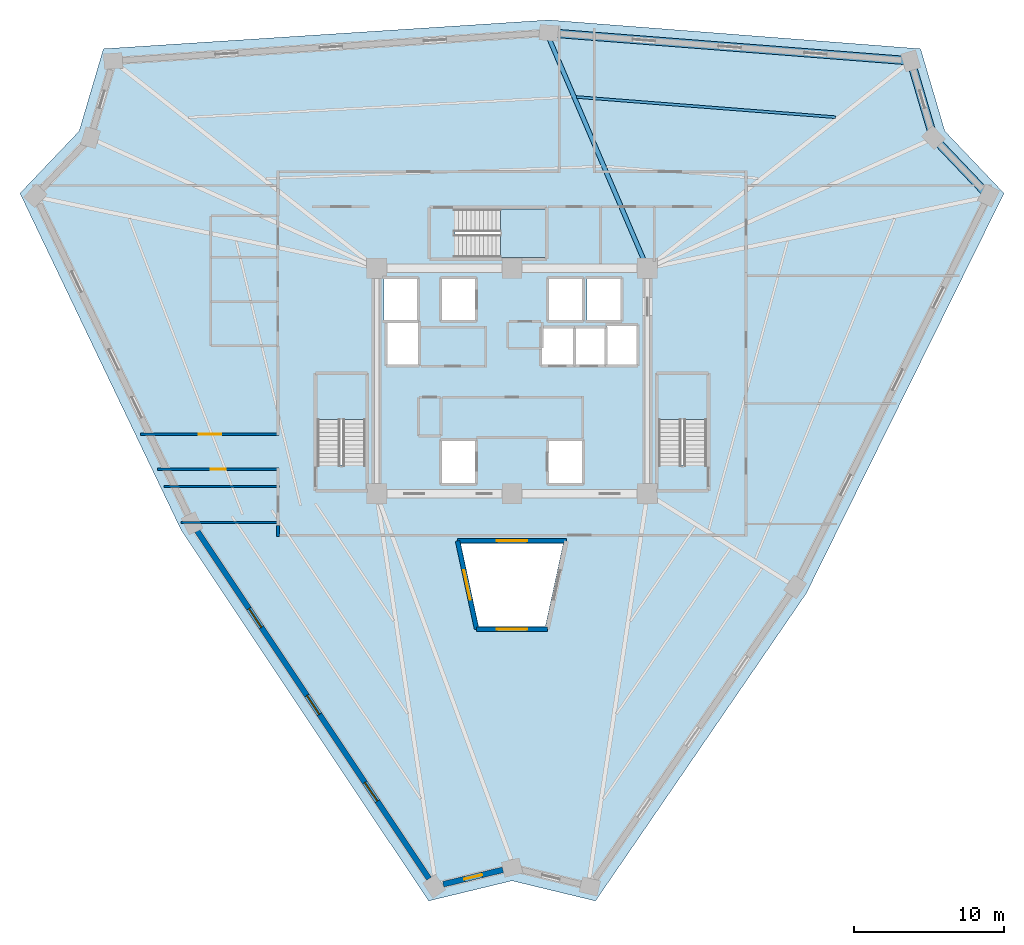
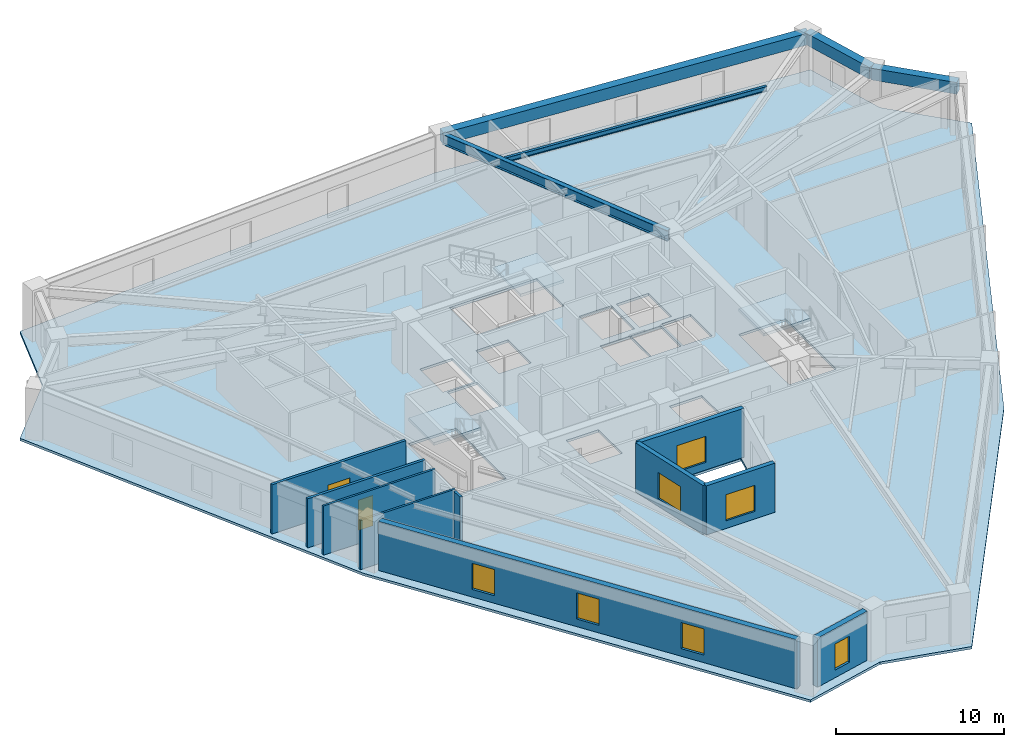
# One storey, part 2 of 8: 10 walls, 7 windows, 5 beams, 4 slabs, 2 doors, 9 openings, 3 elements without a shape of their own.
"""IFC4 building model written with IfcOpenShell, lengths in metres."""

from ifc_helpers import new_model, si_unit, direction, frame, frame_2d, origin, origin_2d, place, context, subcontext, project, spatial, polyline, rectangle, i_section, outline, extrude, source, transform, mapped, material, layer, layer_set, material_profile, profile_set, type_object, element, fill, aggregate, save


model = new_model("IFC4")

# Units and contexts
model_context = context("Model", 3, precision=1e-05, world=origin(), true_north=direction((0.0, 1.0)))
body_context = subcontext(model_context, "Body", "Model", "MODEL_VIEW")
ifc_project = project(units=[si_unit("LENGTHUNIT", "METRE"), si_unit("AREAUNIT", "SQUARE_METRE"), si_unit("VOLUMEUNIT", "CUBIC_METRE"), si_unit("PLANEANGLEUNIT", "RADIAN"), si_unit("MASSUNIT", "GRAM", prefix="KILO")], contexts=[model_context])

# Site, building, storey
site_placement = place(None, origin())
site = spatial("IfcSite", under=ifc_project, at=site_placement, CompositionType="ELEMENT")
building_placement = place(site_placement, origin())
building = spatial("IfcBuilding", under=site, at=building_placement, Name="Liaohun Quay Tower", CompositionType="ELEMENT")
storey_placement = place(building_placement, frame((0.0, 0.0, 266.25)))
storey = spatial("IfcBuildingStorey", under=building, at=storey_placement, Name="L69", CompositionType="ELEMENT", Elevation=266.25)

# Beams
ifc_material_1 = material(Name="Precast concrete C50", Category="concrete")
ifc_material_profile_1 = material_profile(ifc_material_1, rectangle(XDim=0.550048828125, YDim=0.85009765625, at=origin_2d()), Name="RC550x850")
ifc_profile_set_1 = profile_set([ifc_material_profile_1], Name="Precast concrete C50")
beam_type_1 = type_object("IfcBeamType", Name="BM-SPD-Z3", PredefinedType="SPANDREL", material=ifc_profile_set_1)
shared_shape_1 = source(origin(), body_context, "Body", "SweptSolid", [
    extrude(rectangle(XDim=0.550048828125, YDim=0.85009765625, at=origin_2d()), origin(), (0.0, 0.0, 1.0), 24.14404296875),
])
beam_1_placement = place(storey_placement, frame((62.43896484375, 77.14794921875, 3.14501953125), z_axis=(0.997015336738, -0.077203745433, 0.0), x_axis=(0.077203745433, 0.997015336738, 0.0)))
element("IfcBeam", 1, at=beam_1_placement, inside=storey, type_object=beam_type_1, Name="L69 Precast Spandrel Beam PC06-PC07", PredefinedType="SPANDREL", context=body_context, shape_type="MappedRepresentation", body=[
    mapped(shared_shape_1, transform((0.0, 0.0, 0.0), x_axis=(1.0, 0.0, 0.0), y_axis=(0.0, 1.0, 0.0), z_axis=(0.0, 0.0, 1.0), scale=1.0)),
])
shared_shape_2 = source(origin(), body_context, "Body", "SweptSolid", [
    extrude(rectangle(XDim=0.550048828125, YDim=0.85009765625, at=origin_2d()), origin(), (0.0, 0.0, 1.0), 5.325439453125),
])
beam_2_placement = place(storey_placement, frame((86.510986328125, 75.283935546875, 3.14501953125), z_axis=(0.282819041765, -0.959173284456, 0.0), x_axis=(0.959173284456, 0.282819041765, 0.0)))
element("IfcBeam", 2, at=beam_2_placement, inside=storey, type_object=beam_type_1, Name="L69 Precast Spandrel Beam PC07-PC08", PredefinedType="SPANDREL", context=body_context, shape_type="MappedRepresentation", body=[
    mapped(shared_shape_2, transform((0.0, 0.0, 0.0), x_axis=(1.0, 0.0, 0.0), y_axis=(0.0, 1.0, 0.0), z_axis=(0.0, 0.0, 1.0), scale=1.0)),
])
shared_shape_3 = source(origin(), body_context, "Body", "SweptSolid", [
    extrude(rectangle(XDim=0.550048828125, YDim=0.85009765625, at=origin_2d()), origin(), (0.0, 0.0, 1.0), 5.318359375),
])
beam_3_placement = place(storey_placement, frame((88.01708984375, 70.176025390625, 3.14501953125), z_axis=(0.689306630842, -0.7244697155, 0.0), x_axis=(0.7244697155, 0.689306630842, 0.0)))
element("IfcBeam", 3, at=beam_3_placement, inside=storey, type_object=beam_type_1, Name="L69 Precast Spandrel Beam PC08-PC09", PredefinedType="SPANDREL", context=body_context, shape_type="MappedRepresentation", body=[
    mapped(shared_shape_3, transform((0.0, 0.0, 0.0), x_axis=(1.0, 0.0, 0.0), y_axis=(0.0, 1.0, 0.0), z_axis=(0.0, 0.0, 1.0), scale=1.0)),
])
ifc_material_2 = material(Name="Steel Q355D", Category="steel")
ifc_material_profile_2 = material_profile(ifc_material_2, i_section(OverallWidth=0.300048828125, OverallDepth=0.75, WebThickness=0.013916015625, FlangeThickness=0.02587890625, at=origin_2d()), Name="HN750x300x14x26")
ifc_profile_set_2 = profile_set([ifc_material_profile_2], Name="Steel Q355D")
beam_type_2 = type_object("IfcBeamType", Name="BM-RAD-M2", PredefinedType="BEAM", material=ifc_profile_set_2)
shared_shape_4 = source(origin(), body_context, "Body", "SweptSolid", [
    extrude(i_section(OverallWidth=0.300048828125, OverallDepth=0.75, WebThickness=0.013916015625, FlangeThickness=0.02587890625, at=origin_2d()), origin(), (0.0, 0.0, 1.0), 16.7490234375),
])
beam_4_placement = place(storey_placement, frame((69.0, 61.5, 3.195068359375), z_axis=(-0.393331635304, 0.919396663399, 0.0), x_axis=(-0.919396663399, -0.393331635304, 0.0)))
element("IfcBeam", 4, at=beam_4_placement, inside=storey, type_object=beam_type_2, Name="L69 Radial Primary Girder CC4-PC06", PredefinedType="BEAM", context=body_context, shape_type="MappedRepresentation", body=[
    mapped(shared_shape_4, transform((0.0, 0.0, 0.0), x_axis=(1.0, 0.0, 0.0), y_axis=(0.0, 1.0, 0.0), z_axis=(0.0, 0.0, 1.0), scale=1.0)),
])
ifc_material_profile_3 = material_profile(ifc_material_2, i_section(OverallWidth=0.175048828125, OverallDepth=0.35009765625, WebThickness=0.007080078125, FlangeThickness=0.010986328125, at=origin_2d()), Name="HN350x175x7x11")
ifc_profile_set_3 = profile_set([ifc_material_profile_3], Name="Steel Q355D")
beam_type_3 = type_object("IfcBeamType", Name="BM-SEC-J3", PredefinedType="JOIST", material=ifc_profile_set_3)
shared_shape_5 = source(origin(), body_context, "Body", "SweptSolid", [
    extrude(i_section(OverallWidth=0.175048828125, OverallDepth=0.35009765625, WebThickness=0.007080078125, FlangeThickness=0.010986328125, at=origin_2d()), origin(), (0.0, 0.0, 1.0), 17.2734375),
])
beam_5_placement = place(storey_placement, frame((64.2939453125, 72.882080078125, 3.39501953125), z_axis=(0.996964010265, -0.077863741477, 0.0), x_axis=(0.077863741477, 0.996964010265, 0.0)))
element("IfcBeam", 5, at=beam_5_placement, inside=storey, type_object=beam_type_3, Name="L69 Wing Secondary Floor Joist SJ-09", PredefinedType="JOIST", context=body_context, shape_type="MappedRepresentation", body=[
    mapped(shared_shape_5, transform((0.0, 0.0, 0.0), x_axis=(1.0, 0.0, 0.0), y_axis=(0.0, 1.0, 0.0), z_axis=(0.0, 0.0, 1.0), scale=1.0)),
])

# Stair, slab
ifc_material_3 = material(Name="Concrete C45", Category="concrete")
stair_type = type_object("IfcStairType", Name="STR-CORE-OFF", PredefinedType="HALF_TURN_STAIR", material=ifc_material_3)
stair_1_placement = place(storey_placement, origin())
stair_1 = element("IfcStair", 6, at=stair_1_placement, inside=storey, type_object=stair_type, Name="L69 Smokeproof Core Exit Stair ST-1", PredefinedType="HALF_TURN_STAIR")
ifc_layer_1 = layer(ifc_material_3, 0.199951171875, Name="Concrete C45", Category="concrete")
ifc_layer_set_1 = layer_set([ifc_layer_1], Name="Concrete C45")
slab_type_1 = type_object("IfcSlabType", Name="SLB-LND-200", PredefinedType="LANDING", material=ifc_layer_set_1)
slab_1_placement = place(storey_placement, frame((0.0, 0.0, 1.675048828125)))
slab_1 = element("IfcSlab", 7, at=slab_1_placement, type_object=slab_type_1, Name="ST-1 landing 1", PredefinedType="LANDING", context=body_context, shape_type="SweptSolid", body=[
    extrude(outline(polyline([(50.280029296875, 51.429931640625), (50.280029296875, 54.419921875), (47.0400390625, 54.419921875), (47.0400390625, 51.429931640625), (50.280029296875, 51.429931640625)])), origin(), (0.0, 0.0, 1.0), 0.199951171875),
])
aggregate(stair_1, [slab_1])

stair_2_placement = place(storey_placement, origin())
stair_2 = element("IfcStair", 8, at=stair_2_placement, inside=storey, type_object=stair_type, Name="L69 Smokeproof Core Exit Stair ST-2", PredefinedType="HALF_TURN_STAIR")
slab_2_placement = place(storey_placement, frame((0.0, 0.0, 1.675048828125)))
slab_2 = element("IfcSlab", 9, at=slab_2_placement, type_object=slab_type_1, Name="ST-2 landing 1", PredefinedType="LANDING", context=body_context, shape_type="SweptSolid", body=[
    extrude(outline(polyline([(72.9599609375, 51.429931640625), (72.9599609375, 54.419921875), (69.719970703125, 54.419921875), (69.719970703125, 51.429931640625), (72.9599609375, 51.429931640625)])), origin(), (0.0, 0.0, 1.0), 0.199951171875),
])
aggregate(stair_2, [slab_2])

stair_3_placement = place(storey_placement, origin())
stair_3 = element("IfcStair", 10, at=stair_3_placement, inside=storey, type_object=stair_type, Name="L69 Smokeproof Core Exit Stair ST-3", PredefinedType="HALF_TURN_STAIR")
slab_3_placement = place(storey_placement, frame((0.0, 0.0, 1.675048828125)))
slab_3 = element("IfcSlab", 11, at=slab_3_placement, type_object=slab_type_1, Name="ST-3 landing 1", PredefinedType="LANDING", context=body_context, shape_type="SweptSolid", body=[
    extrude(outline(polyline([(59.22998046875, 62.199951171875), (62.219970703125, 62.199951171875), (62.219970703125, 65.43994140625), (59.22998046875, 65.43994140625), (59.22998046875, 62.199951171875)])), origin(), (0.0, 0.0, 1.0), 0.199951171875),
])
aggregate(stair_3, [slab_3])

# Slab
ifc_layer_2 = layer(ifc_material_3, 0.179931640625, Name="Concrete C45", Category="concrete")
ifc_layer_set_2 = layer_set([ifc_layer_2], Name="Concrete C45")
slab_type_2 = type_object("IfcSlabType", Name="SLB-OFF-180", PredefinedType="FLOOR", material=ifc_layer_set_2)
slab_4_placement = place(storey_placement, frame((0.0, 0.0, -0.179931640625)))
element("IfcSlab", 12, at=slab_4_placement, inside=storey, type_object=slab_type_2, Name="L69 Structural Floor Slab", PredefinedType="FLOOR", context=body_context, shape_type="SweptSolid", body=[
    extrude(outline(polyline([(54.452880859375, 19.43505859375), (60.0, 20.77490234375), (65.547119140625, 19.43505859375), (79.56298828125, 39.883056640625), (92.7080078125, 66.47900390625), (88.77392578125, 70.613037109375), (87.160888671875, 76.0859375), (62.444091796875, 78.0), (32.839111328125, 76.0859375), (31.22607421875, 70.613037109375), (27.2919921875, 66.47900390625), (37.992919921875, 44.116943359375), (54.452880859375, 19.43505859375)]), holes=[polyline([(63.409912109375, 43.199951171875), (56.590087890625, 43.199951171875), (57.782958984375, 37.677978515625), (62.217041015625, 37.677978515625), (63.409912109375, 43.199951171875)]), polyline([(57.56005859375, 47.2099609375), (57.56005859375, 50.030029296875), (55.340087890625, 50.030029296875), (55.340087890625, 47.2099609375), (57.56005859375, 47.2099609375)]), polyline([(50.280029296875, 54.419921875), (47.0400390625, 54.419921875), (47.0400390625, 48.409912109375), (50.280029296875, 48.409912109375), (50.280029296875, 54.419921875)]), polyline([(53.760009765625, 55.090087890625), (53.760009765625, 57.909912109375), (51.7099609375, 57.909912109375), (51.7099609375, 55.090087890625), (53.760009765625, 55.090087890625)]), polyline([(53.7099609375, 58.0400390625), (53.7099609375, 60.7900390625), (51.489990234375, 60.7900390625), (51.489990234375, 58.0400390625), (53.7099609375, 58.0400390625)]), polyline([(57.56005859375, 58.0400390625), (57.56005859375, 60.7900390625), (55.340087890625, 60.7900390625), (55.340087890625, 58.0400390625), (57.56005859375, 58.0400390625)]), polyline([(62.219970703125, 62.199951171875), (62.219970703125, 65.43994140625), (56.2099609375, 65.43994140625), (56.2099609375, 62.199951171875), (62.219970703125, 62.199951171875)]), polyline([(64.659912109375, 50.030029296875), (62.43994140625, 50.030029296875), (62.43994140625, 47.2099609375), (64.659912109375, 47.2099609375), (64.659912109375, 50.030029296875)]), polyline([(72.9599609375, 54.419921875), (69.719970703125, 54.419921875), (69.719970703125, 48.409912109375), (72.9599609375, 48.409912109375), (72.9599609375, 54.419921875)]), polyline([(64.06005859375, 55.090087890625), (64.06005859375, 57.510009765625), (61.989990234375, 57.510009765625), (61.989990234375, 55.090087890625), (64.06005859375, 55.090087890625)]), polyline([(66.159912109375, 55.090087890625), (66.159912109375, 57.510009765625), (64.090087890625, 57.510009765625), (64.090087890625, 55.090087890625), (66.159912109375, 55.090087890625)]), polyline([(68.2900390625, 55.090087890625), (68.2900390625, 57.659912109375), (66.2900390625, 57.659912109375), (66.2900390625, 55.090087890625), (68.2900390625, 55.090087890625)]), polyline([(64.659912109375, 58.0400390625), (64.659912109375, 60.7900390625), (62.43994140625, 60.7900390625), (62.43994140625, 58.0400390625), (64.659912109375, 58.0400390625)]), polyline([(67.2099609375, 58.0400390625), (67.2099609375, 60.7900390625), (64.989990234375, 60.7900390625), (64.989990234375, 58.0400390625), (67.2099609375, 58.0400390625)])]), origin(), (0.0, 0.0, 1.0), 0.179931640625),
])

# Wall, opening, window
ifc_material_4 = material(Name="Concrete C50", Category="concrete")
ifc_layer_3 = layer(ifc_material_4, 0.300048828125, Name="Concrete C50", Category="concrete")
ifc_layer_set_3 = layer_set([ifc_layer_3], Name="Concrete C50")
wall_type_1 = type_object("IfcWallType", Name="WAL-ATR-300", PredefinedType="SOLIDWALL", material=ifc_layer_set_3)
wall_1_placement = place(storey_placement, frame((57.64599609375, 37.508056640625, 0.0), z_axis=(0.0, 0.0, 1.0), x_axis=(-0.211271830319, 0.977427344468, 0.0)))
wall_1 = element("IfcWall", 13, at=wall_1_placement, inside=storey, type_object=wall_type_1, Name="L69 Atrium Fire Compartment Wall 1", PredefinedType="SOLIDWALL", context=body_context, shape_type="SweptSolid", body=[
    extrude(rectangle(XDim=5.99755859375, YDim=0.300048828125, at=frame_2d((2.998779296875, 0.0))), origin(), (0.0, 0.0, 1.0), 3.570068359375),
])
shared_shape_6 = source(origin(), body_context, "Body", "SweptSolid", [
    extrude(rectangle(XDim=2.0, YDim=1.89990234375, at=frame_2d((1.0, 0.949951171875))), frame((0.0, 0.159912109375, 0.0), z_axis=(0.0, -1.0, 0.0), x_axis=(1.0, 0.0, 0.0)), (0.0, 0.0, 1.0), 0.320068359375),
])
opening_1_placement = place(wall_1_placement, frame((1.9990234375, 0.0, 0.550048828125)))
opening_1 = element("IfcOpeningElement", 14, at=opening_1_placement, cuts=wall_1, Name="Opening W07", PredefinedType="OPENING", context=body_context, shape_type="MappedRepresentation", body=[
    mapped(shared_shape_6, transform((0.0, 0.0, 0.0), x_axis=(1.0, 0.0, 0.0), y_axis=(0.0, 1.0, 0.0), z_axis=(0.0, 0.0, 1.0), scale=1.0)),
])
ifc_material_5 = material(Name="Class A 180-min fire-resistant insulated glazing", Category="glass")
window_type_1 = type_object("IfcWindowType", Name="WIN-ATR-FIR", PartitioningType="DOUBLE_PANEL_VERTICAL", PredefinedType="WINDOW", material=ifc_material_5)
shared_shape_7 = source(origin(), body_context, "Body", "SweptSolid", [
    extrude(rectangle(XDim=2.0, YDim=1.89990234375, at=frame_2d((1.0, 0.949951171875))), frame((0.0, 0.030029296875, 0.0), z_axis=(0.0, -1.0, 0.0), x_axis=(1.0, 0.0, 0.0)), (0.0, 0.0, 1.0), 0.06005859375),
])
window_1_placement = place(opening_1_placement, origin())
window_1 = element("IfcWindow", 15, at=window_1_placement, inside=storey, type_object=window_type_1, Name="L69 Atrium Fire-Resistant Glazing W07-1", OverallHeight=1.89990234375, OverallWidth=2.0, PartitioningType="DOUBLE_PANEL_VERTICAL", PredefinedType="WINDOW", context=body_context, shape_type="MappedRepresentation", body=[
    mapped(shared_shape_7, transform((0.0, 0.0, 0.0), x_axis=(1.0, 0.0, 0.0), y_axis=(0.0, 1.0, 0.0), z_axis=(0.0, 0.0, 1.0), scale=1.0)),
])
fill(opening_1, window_1)

wall_2_placement = place(storey_placement, frame((56.37890625, 43.3701171875, 0.0), z_axis=(0.0, 0.0, 1.0), x_axis=(1.0, 0.0, 0.0)))
wall_2 = element("IfcWall", 16, at=wall_2_placement, inside=storey, type_object=wall_type_1, Name="L69 Atrium Fire Compartment Wall 2", PredefinedType="SOLIDWALL", context=body_context, shape_type="SweptSolid", body=[
    extrude(rectangle(XDim=7.2421875, YDim=0.300048828125, at=frame_2d((3.62109375, 0.0))), origin(), (0.0, 0.0, 1.0), 3.570068359375),
])
opening_2_placement = place(wall_2_placement, frame((2.62109375, 0.0, 0.550048828125)))
opening_2 = element("IfcOpeningElement", 17, at=opening_2_placement, cuts=wall_2, Name="Opening W07", PredefinedType="OPENING", context=body_context, shape_type="MappedRepresentation", body=[
    mapped(shared_shape_6, transform((0.0, 0.0, 0.0), x_axis=(1.0, 0.0, 0.0), y_axis=(0.0, 1.0, 0.0), z_axis=(0.0, 0.0, 1.0), scale=1.0)),
])
window_2_placement = place(opening_2_placement, origin())
window_2 = element("IfcWindow", 18, at=window_2_placement, inside=storey, type_object=window_type_1, Name="L69 Atrium Fire-Resistant Glazing W07-2", OverallHeight=1.89990234375, OverallWidth=2.0, PartitioningType="DOUBLE_PANEL_VERTICAL", PredefinedType="WINDOW", context=body_context, shape_type="MappedRepresentation", body=[
    mapped(shared_shape_7, transform((0.0, 0.0, 0.0), x_axis=(1.0, 0.0, 0.0), y_axis=(0.0, 1.0, 0.0), z_axis=(0.0, 0.0, 1.0), scale=1.0)),
])
fill(opening_2, window_2)

wall_3_placement = place(storey_placement, frame((62.35400390625, 37.508056640625, 0.0), z_axis=(0.0, 0.0, 1.0), x_axis=(-1.0, 0.0, 0.0)))
wall_3 = element("IfcWall", 19, at=wall_3_placement, inside=storey, type_object=wall_type_1, Name="L69 Atrium Fire Compartment Wall 4", PredefinedType="SOLIDWALL", context=body_context, shape_type="SweptSolid", body=[
    extrude(rectangle(XDim=4.7080078125, YDim=0.300048828125, at=frame_2d((2.35400390625, 0.0))), origin(), (0.0, 0.0, 1.0), 3.570068359375),
])
opening_3_placement = place(wall_3_placement, frame((1.35400390625, 0.0, 0.550048828125)))
opening_3 = element("IfcOpeningElement", 20, at=opening_3_placement, cuts=wall_3, Name="Opening W07", PredefinedType="OPENING", context=body_context, shape_type="MappedRepresentation", body=[
    mapped(shared_shape_6, transform((0.0, 0.0, 0.0), x_axis=(1.0, 0.0, 0.0), y_axis=(0.0, 1.0, 0.0), z_axis=(0.0, 0.0, 1.0), scale=1.0)),
])
window_3_placement = place(opening_3_placement, origin())
window_3 = element("IfcWindow", 21, at=window_3_placement, inside=storey, type_object=window_type_1, Name="L69 Atrium Fire-Resistant Glazing W07-4", OverallHeight=1.89990234375, OverallWidth=2.0, PartitioningType="DOUBLE_PANEL_VERTICAL", PredefinedType="WINDOW", context=body_context, shape_type="MappedRepresentation", body=[
    mapped(shared_shape_7, transform((0.0, 0.0, 0.0), x_axis=(1.0, 0.0, 0.0), y_axis=(0.0, 1.0, 0.0), z_axis=(0.0, 0.0, 1.0), scale=1.0)),
])
fill(opening_3, window_3)

# Wall, openings, windows
ifc_material_6 = material(Name="Precast concrete C50 insulated sandwich", Category="concrete")
ifc_layer_4 = layer(ifc_material_6, 0.3798828125, Name="Precast concrete C50 insulated sandwich", Category="concrete")
ifc_layer_set_4 = layer_set([ifc_layer_4], Name="Precast concrete C50 insulated sandwich")
wall_type_2 = type_object("IfcWallType", Name="WAL-EXT-Z34", PredefinedType="SOLIDWALL", material=ifc_layer_set_4)
wall_4_placement = place(storey_placement, frame((39.074951171875, 44.02587890625, 0.0), z_axis=(0.0, 0.0, 1.0), x_axis=(0.554862422202, -0.83194212084, 0.0)))
wall_4 = element("IfcWall", 22, at=wall_4_placement, inside=storey, type_object=wall_type_2, Name="L69 Brutalist Precast Pier Wall 11", PredefinedType="SOLIDWALL", context=body_context, shape_type="SweptSolid", body=[
    extrude(rectangle(XDim=27.78173828125, YDim=0.3798828125, at=frame_2d((13.890869140625, 0.0))), origin(), (0.0, 0.0, 1.0), 3.570068359375),
])
shared_shape_8 = source(origin(), body_context, "Body", "SweptSolid", [
    extrude(rectangle(XDim=1.5, YDim=1.89990234375, at=frame_2d((0.75, 0.949951171875))), frame((0.0, 0.199951171875, 0.0), z_axis=(0.0, -1.0, 0.0), x_axis=(1.0, 0.0, 0.0)), (0.0, 0.0, 1.0), 0.39990234375),
])
opening_4_placement = place(wall_4_placement, frame((6.195068359375, 0.0, 0.550048828125)))
opening_4 = element("IfcOpeningElement", 23, at=opening_4_placement, cuts=wall_4, Name="Opening W03", PredefinedType="OPENING", context=body_context, shape_type="MappedRepresentation", body=[
    mapped(shared_shape_8, transform((0.0, 0.0, 0.0), x_axis=(1.0, 0.0, 0.0), y_axis=(0.0, 1.0, 0.0), z_axis=(0.0, 0.0, 1.0), scale=1.0)),
])
opening_5_placement = place(wall_4_placement, frame((13.14111328125, 0.0, 0.550048828125)))
opening_5 = element("IfcOpeningElement", 24, at=opening_5_placement, cuts=wall_4, Name="Opening W03", PredefinedType="OPENING", context=body_context, shape_type="MappedRepresentation", body=[
    mapped(shared_shape_8, transform((0.0, 0.0, 0.0), x_axis=(1.0, 0.0, 0.0), y_axis=(0.0, 1.0, 0.0), z_axis=(0.0, 0.0, 1.0), scale=1.0)),
])
opening_6_placement = place(wall_4_placement, frame((20.0859375, 0.0, 0.550048828125)))
opening_6 = element("IfcOpeningElement", 25, at=opening_6_placement, cuts=wall_4, Name="Opening W03", PredefinedType="OPENING", context=body_context, shape_type="MappedRepresentation", body=[
    mapped(shared_shape_8, transform((0.0, 0.0, 0.0), x_axis=(1.0, 0.0, 0.0), y_axis=(0.0, 1.0, 0.0), z_axis=(0.0, 0.0, 1.0), scale=1.0)),
])
ifc_material_7 = material(Name="Triple Low-E argon glazing in thermally broken aluminium", Category="aluminium")
window_type_2 = type_object("IfcWindowType", Name="WIN-PUN-Z3", PartitioningType="DOUBLE_PANEL_VERTICAL", PredefinedType="WINDOW", material=ifc_material_7)
shared_shape_9 = source(origin(), body_context, "Body", "SweptSolid", [
    extrude(rectangle(XDim=1.5, YDim=1.89990234375, at=frame_2d((0.75, 0.949951171875))), frame((0.0, 0.030029296875, 0.0), z_axis=(0.0, -1.0, 0.0), x_axis=(1.0, 0.0, 0.0)), (0.0, 0.0, 1.0), 0.06005859375),
])
window_4_placement = place(opening_4_placement, origin())
window_4 = element("IfcWindow", 26, at=window_4_placement, inside=storey, type_object=window_type_2, Name="L69 Recessed Cold-Climate Punched Window 11-1", OverallHeight=1.89990234375, OverallWidth=1.5, PartitioningType="DOUBLE_PANEL_VERTICAL", PredefinedType="WINDOW", context=body_context, shape_type="MappedRepresentation", body=[
    mapped(shared_shape_9, transform((0.0, 0.0, 0.0), x_axis=(1.0, 0.0, 0.0), y_axis=(0.0, 1.0, 0.0), z_axis=(0.0, 0.0, 1.0), scale=1.0)),
])
fill(opening_4, window_4)
window_5_placement = place(opening_5_placement, origin())
window_5 = element("IfcWindow", 27, at=window_5_placement, inside=storey, type_object=window_type_2, Name="L69 Recessed Cold-Climate Punched Window 11-2", OverallHeight=1.89990234375, OverallWidth=1.5, PartitioningType="DOUBLE_PANEL_VERTICAL", PredefinedType="WINDOW", context=body_context, shape_type="MappedRepresentation", body=[
    mapped(shared_shape_9, transform((0.0, 0.0, 0.0), x_axis=(1.0, 0.0, 0.0), y_axis=(0.0, 1.0, 0.0), z_axis=(0.0, 0.0, 1.0), scale=1.0)),
])
fill(opening_5, window_5)
window_6_placement = place(opening_6_placement, origin())
window_6 = element("IfcWindow", 28, at=window_6_placement, inside=storey, type_object=window_type_2, Name="L69 Recessed Cold-Climate Punched Window 11-3", OverallHeight=1.89990234375, OverallWidth=1.5, PartitioningType="DOUBLE_PANEL_VERTICAL", PredefinedType="WINDOW", context=body_context, shape_type="MappedRepresentation", body=[
    mapped(shared_shape_9, transform((0.0, 0.0, 0.0), x_axis=(1.0, 0.0, 0.0), y_axis=(0.0, 1.0, 0.0), z_axis=(0.0, 0.0, 1.0), scale=1.0)),
])
fill(opening_6, window_6)

# Wall, opening, window
wall_5_placement = place(storey_placement, frame((55.428955078125, 20.544921875, 0.0), z_axis=(0.0, 0.0, 1.0), x_axis=(0.972030509307, 0.234854612424, 0.0)))
wall_5 = element("IfcWall", 29, at=wall_5_placement, inside=storey, type_object=wall_type_2, Name="L69 Brutalist Precast Pier Wall 12", PredefinedType="SOLIDWALL", context=body_context, shape_type="SweptSolid", body=[
    extrude(rectangle(XDim=4.08740234375, YDim=0.3798828125, at=frame_2d((2.043701171875, 0.0))), origin(), (0.0, 0.0, 1.0), 3.570068359375),
])
shared_shape_10 = source(origin(), body_context, "Body", "SweptSolid", [
    extrude(rectangle(XDim=1.199951171875, YDim=1.89990234375, at=frame_2d((0.60009765625, 0.949951171875))), frame((0.0, 0.199951171875, 0.0), z_axis=(0.0, -1.0, 0.0), x_axis=(1.0, 0.0, 0.0)), (0.0, 0.0, 1.0), 0.39990234375),
])
opening_7_placement = place(wall_5_placement, frame((1.444091796875, 0.0, 0.550048828125)))
opening_7 = element("IfcOpeningElement", 30, at=opening_7_placement, cuts=wall_5, Name="Opening W05", PredefinedType="OPENING", context=body_context, shape_type="MappedRepresentation", body=[
    mapped(shared_shape_10, transform((0.0, 0.0, 0.0), x_axis=(1.0, 0.0, 0.0), y_axis=(0.0, 1.0, 0.0), z_axis=(0.0, 0.0, 1.0), scale=1.0)),
])
ifc_material_8 = material(Name="Triple Low-E corner notch glazing", Category="glass")
window_type_3 = type_object("IfcWindowType", Name="WIN-NOTCH", PartitioningType="SINGLE_PANEL", PredefinedType="WINDOW", material=ifc_material_8)
shared_shape_11 = source(origin(), body_context, "Body", "SweptSolid", [
    extrude(rectangle(XDim=1.199951171875, YDim=1.89990234375, at=frame_2d((0.60009765625, 0.949951171875))), frame((0.0, 0.030029296875, 0.0), z_axis=(0.0, -1.0, 0.0), x_axis=(1.0, 0.0, 0.0)), (0.0, 0.0, 1.0), 0.06005859375),
])
window_7_placement = place(opening_7_placement, origin())
window_7 = element("IfcWindow", 31, at=window_7_placement, inside=storey, type_object=window_type_3, Name="L69 Corner Notch Window W05-12", OverallHeight=1.89990234375, OverallWidth=1.199951171875, PartitioningType="SINGLE_PANEL", PredefinedType="WINDOW", context=body_context, shape_type="MappedRepresentation", body=[
    mapped(shared_shape_11, transform((0.0, 0.0, 0.0), x_axis=(1.0, 0.0, 0.0), y_axis=(0.0, 1.0, 0.0), z_axis=(0.0, 0.0, 1.0), scale=1.0)),
])
fill(opening_7, window_7)

# Wall, opening, door
ifc_material_9 = material(Name="Autoclaved aerated concrete blockwork", Category="masonry")
ifc_layer_5 = layer(ifc_material_9, 0.179931640625, Name="Autoclaved aerated concrete blockwork", Category="masonry")
ifc_layer_set_5 = layer_set([ifc_layer_5], Name="Autoclaved aerated concrete blockwork")
wall_type_3 = type_object("IfcWallType", Name="WAL-PRT-COR", PredefinedType="PARTITIONING", material=ifc_layer_set_5)
wall_6_placement = place(storey_placement, frame((35.30908203125, 50.4599609375, 0.0), z_axis=(0.0, 0.0, 1.0), x_axis=(1.0, 0.0, 0.0)))
wall_6 = element("IfcWall", 32, at=wall_6_placement, inside=storey, type_object=wall_type_3, Name="L69 Interior Partition Wall 016", PredefinedType="PARTITIONING", context=body_context, shape_type="SweptSolid", body=[
    extrude(rectangle(XDim=9.200927734375, YDim=0.179931640625, at=frame_2d((4.6005859375, 0.0))), origin(), (0.0, 0.0, 1.0), 3.570068359375),
])
shared_shape_12 = source(origin(), body_context, "Body", "SweptSolid", [
    extrude(rectangle(XDim=1.5, YDim=2.199951171875, at=frame_2d((0.75, 1.10009765625))), frame((0.0, 0.099853515625, 0.0), z_axis=(0.0, -1.0, 0.0), x_axis=(1.0, 0.0, 0.0)), (0.0, 0.0, 1.0), 0.199951171875),
])
opening_8_placement = place(wall_6_placement, frame((3.85107421875, 0.0, 0.0)))
opening_8 = element("IfcOpeningElement", 33, at=opening_8_placement, cuts=wall_6, Name="Opening OD2", PredefinedType="OPENING", context=body_context, shape_type="MappedRepresentation", body=[
    mapped(shared_shape_12, transform((0.0, 0.0, 0.0), x_axis=(1.0, 0.0, 0.0), y_axis=(0.0, 1.0, 0.0), z_axis=(0.0, 0.0, 1.0), scale=1.0)),
])
ifc_material_10 = material(Name="Acoustic oak veneer double door")
door_type_1 = type_object("IfcDoorType", Name="DOR-OFF-1500", OperationType="DOUBLE_DOOR_SINGLE_SWING", PredefinedType="DOOR", material=ifc_material_10)
shared_shape_13 = source(origin(), body_context, "Body", "SweptSolid", [
    extrude(rectangle(XDim=1.5, YDim=2.199951171875, at=frame_2d((0.75, 1.10009765625))), frame((0.0, 0.02490234375, 0.0), z_axis=(0.0, -1.0, 0.0), x_axis=(1.0, 0.0, 0.0)), (0.0, 0.0, 1.0), 0.050048828125),
])
door_1_placement = place(opening_8_placement, origin())
door_1 = element("IfcDoor", 34, at=door_1_placement, inside=storey, type_object=door_type_1, Name="L69 Client Collaboration Lounge 05 Door", OperationType="DOUBLE_DOOR_SINGLE_SWING", OverallHeight=2.199951171875, OverallWidth=1.5, PredefinedType="DOOR", context=body_context, shape_type="MappedRepresentation", body=[
    mapped(shared_shape_13, transform((0.0, 0.0, 0.0), x_axis=(1.0, 0.0, 0.0), y_axis=(0.0, 1.0, 0.0), z_axis=(0.0, 0.0, 1.0), scale=1.0)),
])
fill(opening_8, door_1)

wall_7_placement = place(storey_placement, frame((44.510009765625, 48.139892578125, 0.0), z_axis=(0.0, 0.0, 1.0), x_axis=(-1.0, 0.0, 0.0)))
wall_7 = element("IfcWall", 35, at=wall_7_placement, inside=storey, type_object=wall_type_3, Name="L69 Interior Partition Wall 017", PredefinedType="PARTITIONING", context=body_context, shape_type="SweptSolid", body=[
    extrude(rectangle(XDim=8.091064453125, YDim=0.179931640625, at=frame_2d((4.04541015625, 0.0))), origin(), (0.0, 0.0, 1.0), 3.570068359375),
])
shared_shape_14 = source(origin(), body_context, "Body", "SweptSolid", [
    extrude(rectangle(XDim=1.0, YDim=2.199951171875, at=frame_2d((0.5, 1.10009765625))), frame((0.0, 0.099853515625, 0.0), z_axis=(0.0, -1.0, 0.0), x_axis=(1.0, 0.0, 0.0)), (0.0, 0.0, 1.0), 0.199951171875),
])
opening_9_placement = place(wall_7_placement, frame((3.5458984375, 0.0, 0.0)))
opening_9 = element("IfcOpeningElement", 36, at=opening_9_placement, cuts=wall_7, Name="Opening OD1", PredefinedType="OPENING", context=body_context, shape_type="MappedRepresentation", body=[
    mapped(shared_shape_14, transform((0.0, 0.0, 0.0), x_axis=(1.0, 0.0, 0.0), y_axis=(0.0, 1.0, 0.0), z_axis=(0.0, 0.0, 1.0), scale=1.0)),
])
ifc_material_11 = material(Name="Solid-core oak veneer timber leaf in steel frame", Category="steel")
door_type_2 = type_object("IfcDoorType", Name="DOR-OFF-1000", OperationType="NOTDEFINED", PredefinedType="DOOR", material=ifc_material_11)
shared_shape_15 = source(origin(), body_context, "Body", "SweptSolid", [
    extrude(rectangle(XDim=1.0, YDim=2.199951171875, at=frame_2d((0.5, 1.10009765625))), frame((0.0, 0.02490234375, 0.0), z_axis=(0.0, -1.0, 0.0), x_axis=(1.0, 0.0, 0.0)), (0.0, 0.0, 1.0), 0.050048828125),
])
door_2_placement = place(opening_9_placement, origin())
door_2 = element("IfcDoor", 37, at=door_2_placement, inside=storey, type_object=door_type_2, Name="L69 Staff Tea Kitchen and Pantry 06 Door", OperationType="SINGLE_SWING_LEFT", OverallHeight=2.199951171875, OverallWidth=1.0, PredefinedType="DOOR", context=body_context, shape_type="MappedRepresentation", body=[
    mapped(shared_shape_15, transform((0.0, 0.0, 0.0), x_axis=(1.0, 0.0, 0.0), y_axis=(0.0, 1.0, 0.0), z_axis=(0.0, 0.0, 1.0), scale=1.0)),
])
fill(opening_9, door_2)

# Walls
wall_8_placement = place(storey_placement, frame((44.43994140625, 43.669921875, 0.0), z_axis=(0.0, 0.0, 1.0), x_axis=(0.0, 1.0, 0.0)))
element("IfcWall", 38, at=wall_8_placement, inside=storey, type_object=wall_type_3, Name="L69 Interior Partition Wall 041", PredefinedType="PARTITIONING", context=body_context, shape_type="SweptSolid", body=[
    extrude(rectangle(XDim=0.715087890625, YDim=0.179931640625, at=frame_2d((0.357421875, 0.0))), origin(), (0.0, 0.0, 1.0), 3.570068359375),
])
ifc_material_12 = material(Name="Gypsum board on twin steel studs", Category="steel")
ifc_layer_6 = layer(ifc_material_12, 0.139892578125, Name="Gypsum board on twin steel studs", Category="steel")
ifc_layer_set_6 = layer_set([ifc_layer_6], Name="Gypsum board on twin steel studs")
wall_type_4 = type_object("IfcWallType", Name="WAL-PRT-OFF", PredefinedType="PARTITIONING", material=ifc_layer_set_6)
wall_9_placement = place(storey_placement, frame((44.5400390625, 44.60009765625, 0.0), z_axis=(0.0, 0.0, 1.0), x_axis=(-1.0, 0.0, 0.0)))
element("IfcWall", 39, at=wall_9_placement, inside=storey, type_object=wall_type_4, Name="L69 Interior Partition Wall 043", PredefinedType="PARTITIONING", context=body_context, shape_type="SweptSolid", body=[
    extrude(rectangle(XDim=6.533935546875, YDim=0.139892578125, at=frame_2d((3.26708984375, 0.0))), origin(), (0.0, 0.0, 1.0), 3.570068359375),
])
wall_10_placement = place(storey_placement, frame((44.5400390625, 47.0, 0.0), z_axis=(0.0, 0.0, 1.0), x_axis=(-1.0, 0.0, 0.0)))
element("IfcWall", 40, at=wall_10_placement, inside=storey, type_object=wall_type_4, Name="L69 Interior Partition Wall 044", PredefinedType="PARTITIONING", context=body_context, shape_type="SweptSolid", body=[
    extrude(rectangle(XDim=7.68310546875, YDim=0.139892578125, at=frame_2d((3.841552734375, 0.0))), origin(), (0.0, 0.0, 1.0), 3.570068359375),
])

save(model, "model.ifc")
